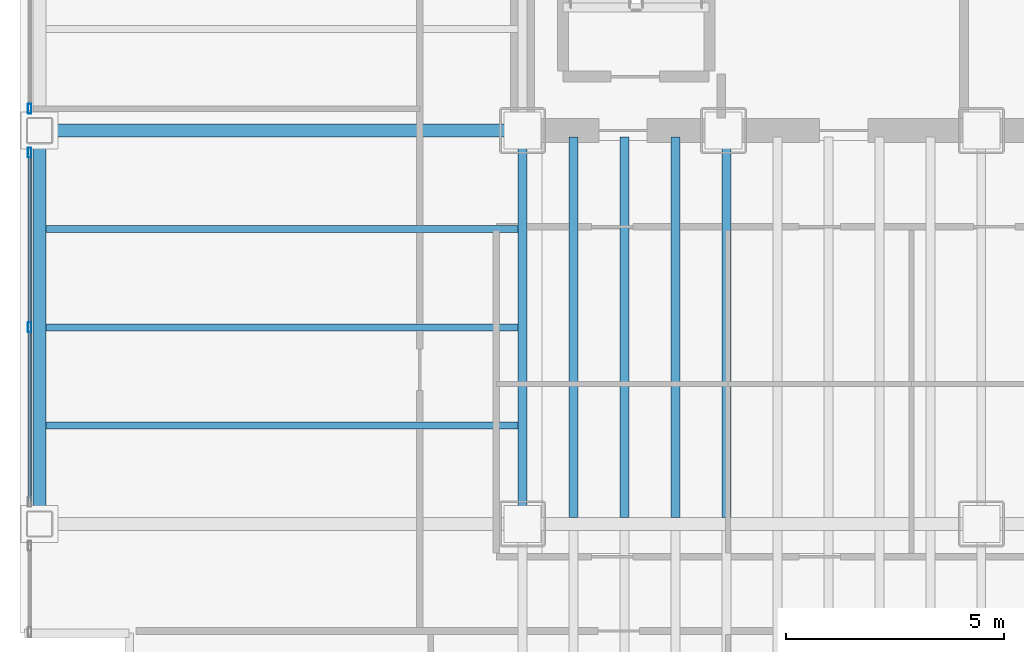
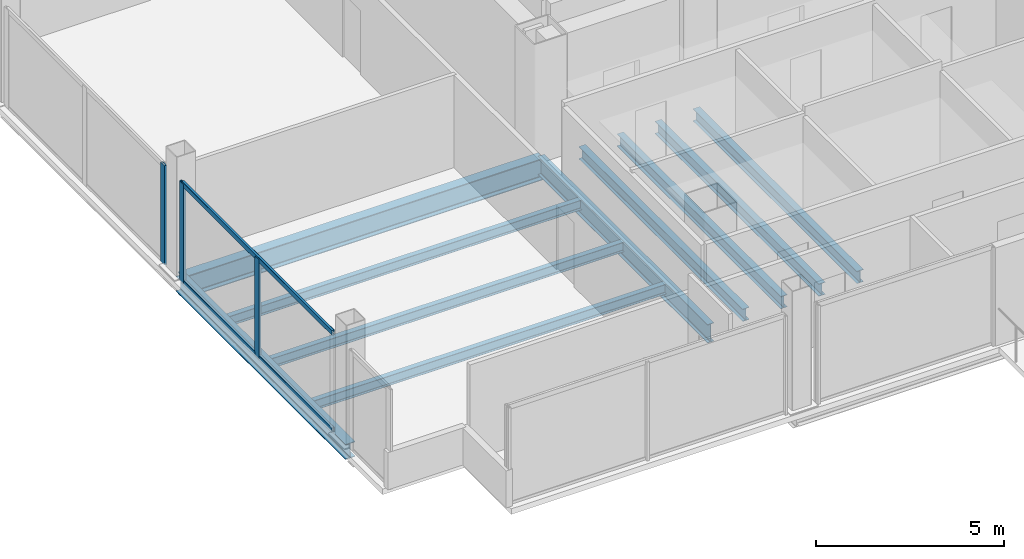
# One storey, part 3 of 21: 10 beams, 5 members, 2 elements without a shape of their own.
"""IFC4 building model written with IfcOpenShell, lengths in metres."""

from ifc_helpers import new_model, si_unit, direction, frame, origin, origin_2d, place, context, subcontext, project, spatial, hollow_rectangle, i_section, extrude, material, material_profile, profile_set, type_object, element, aggregate, save


model = new_model("IFC4")

# Units and contexts
model_context = context("Model", 3, precision=1e-05, world=origin(), true_north=direction((0.0, 1.0)))
body_context = subcontext(model_context, "Body", "Model", "MODEL_VIEW")
ifc_project = project(units=[si_unit("LENGTHUNIT", "METRE"), si_unit("AREAUNIT", "SQUARE_METRE"), si_unit("VOLUMEUNIT", "CUBIC_METRE"), si_unit("PLANEANGLEUNIT", "RADIAN"), si_unit("MASSUNIT", "GRAM", prefix="KILO")], contexts=[model_context])

# Site, building, storey
site_placement = place(None, origin())
site = spatial("IfcSite", under=ifc_project, at=site_placement, CompositionType="ELEMENT")
building_placement = place(site_placement, origin())
building = spatial("IfcBuilding", under=site, at=building_placement, Name="Noeulbin Bourse Tower", CompositionType="ELEMENT")
storey_placement = place(building_placement, frame((0.0, 0.0, 46.0)))
storey = spatial("IfcBuildingStorey", under=building, at=storey_placement, Name="L11", CompositionType="ELEMENT", Elevation=46.0)

# Beams
ifc_material_1 = material(Name="Steel S355", Category="steel")
ifc_material_profile_1 = material_profile(ifc_material_1, i_section(OverallWidth=0.199951171875, OverallDepth=0.60009765625, WebThickness=0.010986328125, FlangeThickness=0.01708984375, FilletRadius=0.02197265625, at=origin_2d()), Name="H-600x200x11x17", Category="LoadBearing")
ifc_profile_set_1 = profile_set([ifc_material_profile_1], Name="Steel S355")
beam_type_1 = type_object("IfcBeamType", Name="BM-GRD-600", PredefinedType="USERDEFINED", material=ifc_profile_set_1)
beam_1_placement = place(storey_placement, frame((13.5, 20.0, -0.47998046875), z_axis=(0.0, 1.0, 0.0), x_axis=(-1.0, 0.0, 0.0)))
element("IfcBeam", 1, at=beam_1_placement, inside=storey, type_object=beam_type_1, Name="Tower Primary Girder NS L11-1.2", ObjectType="GIRDER", PredefinedType="USERDEFINED", context=body_context, shape_type="SweptSolid", body=[
    extrude(i_section(OverallWidth=0.199951171875, OverallDepth=0.60009765625, WebThickness=0.010986328125, FlangeThickness=0.01708984375, FilletRadius=0.02197265625, at=origin_2d()), origin(), (0.0, 0.0, 1.0), 9.0),
])
ifc_material_profile_2 = material_profile(ifc_material_1, i_section(OverallWidth=0.300048828125, OverallDepth=0.699951171875, WebThickness=0.012939453125, FlangeThickness=0.02392578125, FilletRadius=0.02392578125, at=origin_2d()), Name="H-700x300x13x24", Category="LoadBearing")
ifc_profile_set_2 = profile_set([ifc_material_profile_2], Name="Steel S355")
beam_type_2 = type_object("IfcBeamType", Name="BM-GRD-700", PredefinedType="USERDEFINED", material=ifc_profile_set_2)
beam_2_placement = place(storey_placement, frame((2.449951171875, 29.0, -0.530029296875), z_axis=(1.0, 0.0, 0.0), x_axis=(0.0, 1.0, 0.0)))
element("IfcBeam", 2, at=beam_2_placement, inside=storey, type_object=beam_type_2, Name="Tower Primary Girder EW L11-2.1", ObjectType="GIRDER", PredefinedType="USERDEFINED", context=body_context, shape_type="SweptSolid", body=[
    extrude(i_section(OverallWidth=0.300048828125, OverallDepth=0.699951171875, WebThickness=0.012939453125, FlangeThickness=0.02392578125, FilletRadius=0.02392578125, at=origin_2d()), origin(), (0.0, 0.0, 1.0), 11.050048828125),
])
ifc_material_profile_3 = material_profile(ifc_material_1, i_section(OverallWidth=0.159912109375, OverallDepth=0.320068359375, WebThickness=0.006591796875, FlangeThickness=0.010009765625, FilletRadius=0.012939453125, at=origin_2d()), Name="H-320x160x6.5x10", Category="LoadBearing")
ifc_profile_set_3 = profile_set([ifc_material_profile_3], Name="Steel S355")
beam_type_3 = type_object("IfcBeamType", Name="BM-JST-320", PredefinedType="JOIST", material=ifc_profile_set_3)
for number, where, z_axis, x_axis, name in (
    (3, (2.60009765625, 22.25, -0.340087890625), (1.0, 0.0, 0.0), (0.0, 1.0, 0.0), "Wing Composite Joist L11-W70"),
    (4, (2.60009765625, 24.5, -0.340087890625), (1.0, 0.0, 0.0), (0.0, 1.0, 0.0), "Wing Composite Joist L11-W71"),
    (5, (2.60009765625, 26.75, -0.340087890625), (1.0, 0.0, 0.0), (0.0, 1.0, 0.0), "Wing Composite Joist L11-W72"),
):
    element("IfcBeam", number, at=place(storey_placement, frame(where, z_axis=z_axis, x_axis=x_axis)), inside=storey, type_object=beam_type_3, Name=name, PredefinedType="JOIST", context=body_context, shape_type="SweptSolid", body=[
        extrude(i_section(OverallWidth=0.159912109375, OverallDepth=0.320068359375, WebThickness=0.006591796875, FlangeThickness=0.010009765625, FilletRadius=0.012939453125, at=origin_2d()), origin(), (0.0, 0.0, 1.0), 10.7998046875),
    ])
ifc_material_profile_4 = material_profile(ifc_material_1, i_section(OverallWidth=0.199951171875, OverallDepth=0.39990234375, WebThickness=0.008056640625, FlangeThickness=0.012939453125, FilletRadius=0.01611328125, at=origin_2d()), Name="H-400x200x8x13", Category="LoadBearing")
ifc_profile_set_4 = profile_set([ifc_material_profile_4], Name="Steel S355")
beam_type_4 = type_object("IfcBeamType", Name="BM-SEC-400", PredefinedType="BEAM", material=ifc_profile_set_4)
for number, where, z_axis, x_axis, name in (
    (6, (14.666748046875, 20.14990234375, -0.3798828125), (0.0, 1.0, 0.0), (-1.0, 0.0, 0.0), "Tower Composite Joist L11-02"),
    (7, (15.833251953125, 20.14990234375, -0.3798828125), (0.0, 1.0, 0.0), (-1.0, 0.0, 0.0), "Tower Composite Joist L11-05"),
    (8, (17.0, 20.14990234375, -0.3798828125), (0.0, 1.0, 0.0), (-1.0, 0.0, 0.0), "Tower Composite Joist L11-08"),
    (9, (18.166748046875, 20.14990234375, -0.3798828125), (0.0, 1.0, 0.0), (-1.0, 0.0, 0.0), "Tower Composite Joist L11-11"),
):
    element("IfcBeam", number, at=place(storey_placement, frame(where, z_axis=z_axis, x_axis=x_axis)), inside=storey, type_object=beam_type_4, Name=name, PredefinedType="BEAM", context=body_context, shape_type="SweptSolid", body=[
        extrude(i_section(OverallWidth=0.199951171875, OverallDepth=0.39990234375, WebThickness=0.008056640625, FlangeThickness=0.012939453125, FilletRadius=0.01611328125, at=origin_2d()), origin(), (0.0, 0.0, 1.0), 8.7001953125),
    ])
ifc_material_profile_5 = material_profile(ifc_material_1, i_section(OverallWidth=0.300048828125, OverallDepth=0.488037109375, WebThickness=0.010986328125, FlangeThickness=0.01806640625, FilletRadius=0.02197265625, at=origin_2d()), Name="H-488x300x11x18", Category="LoadBearing")
ifc_profile_set_5 = profile_set([ifc_material_profile_5], Name="Steel S355")
beam_type_5 = type_object("IfcBeamType", Name="BM-SPN-488", PredefinedType="SPANDREL", material=ifc_profile_set_5)
beam_3_placement = place(storey_placement, frame((2.449951171875, 20.0, -0.424072265625), z_axis=(0.0, 1.0, 0.0), x_axis=(-1.0, 0.0, 0.0)))
element("IfcBeam", 10, at=beam_3_placement, inside=storey, type_object=beam_type_5, Name="West Spandrel L11-1", PredefinedType="SPANDREL", context=body_context, shape_type="SweptSolid", body=[
    extrude(i_section(OverallWidth=0.300048828125, OverallDepth=0.488037109375, WebThickness=0.010986328125, FlangeThickness=0.01806640625, FilletRadius=0.02197265625, at=origin_2d()), origin(), (0.0, 0.0, 1.0), 9.0),
])

# Curtain wall, members
ifc_material_2 = material(Name="Dark Solar-Control Double Glazing", Category="glass")
curtain_wall_type = type_object("IfcCurtainWallType", Name="CW-SYS-2", PredefinedType="NOTDEFINED", material=ifc_material_2)
curtain_wall_1_placement = place(storey_placement, origin())
curtain_wall_1 = element("IfcCurtainWall", 11, at=curtain_wall_1_placement, inside=storey, type_object=curtain_wall_type, Name="Unitised Curtain Wall CW-L11-W-S2", PredefinedType="NOTDEFINED")
ifc_material_3 = material(Name="Anodised Aluminium 6063-T6", Category="aluminium")
ifc_material_profile_6 = material_profile(ifc_material_3, hollow_rectangle(XDim=0.074951171875, YDim=0.219970703125, WallThickness=0.0048828125, InnerFilletRadius=0.00244140625, OuterFilletRadius=0.0048828125, at=origin_2d()), Name="ALU-MULL-75x220x5", Category="LoadBearing")
ifc_profile_set_6 = profile_set([ifc_material_profile_6], Name="Anodised Aluminium 6063-T6")
member_type_1 = type_object("IfcMemberType", Name="CW-SYS-2-MUL", PredefinedType="MULLION", material=ifc_profile_set_6)
member_1_placement = place(storey_placement, frame((2.219970703125, 24.5, -0.02001953125), z_axis=(0.0, 0.0, 1.0), x_axis=(1.0, 0.0, 0.0)))
member_1 = element("IfcMember", 12, at=member_1_placement, type_object=member_type_1, Name="Curtain Wall Mullion CW-L11-W-S2-M01", PredefinedType="MULLION", context=body_context, shape_type="SweptSolid", body=[
    extrude(hollow_rectangle(XDim=0.074951171875, YDim=0.219970703125, WallThickness=0.0048828125, InnerFilletRadius=0.00244140625, OuterFilletRadius=0.0048828125, at=origin_2d()), origin(), (0.0, 0.0, 1.0), 3.219970703125),
])
member_2_placement = place(storey_placement, frame((2.219970703125, 28.5, -0.02001953125), z_axis=(0.0, 0.0, 1.0), x_axis=(1.0, 0.0, 0.0)))
member_2 = element("IfcMember", 13, at=member_2_placement, type_object=member_type_1, Name="Curtain Wall Mullion CW-L11-W-S2-M02", PredefinedType="MULLION", context=body_context, shape_type="SweptSolid", body=[
    extrude(hollow_rectangle(XDim=0.074951171875, YDim=0.219970703125, WallThickness=0.0048828125, InnerFilletRadius=0.00244140625, OuterFilletRadius=0.0048828125, at=origin_2d()), origin(), (0.0, 0.0, 1.0), 3.219970703125),
])

# Curtain wall, member
curtain_wall_2_placement = place(storey_placement, origin())
curtain_wall_2 = element("IfcCurtainWall", 14, at=curtain_wall_2_placement, inside=storey, type_object=curtain_wall_type, Name="Unitised Curtain Wall CW-L11-W-S3", PredefinedType="NOTDEFINED")
member_3_placement = place(storey_placement, frame((2.219970703125, 29.5, -0.02001953125), z_axis=(0.0, 0.0, 1.0), x_axis=(1.0, 0.0, 0.0)))
member_3 = element("IfcMember", 15, at=member_3_placement, type_object=member_type_1, Name="Curtain Wall Mullion CW-L11-W-S3-M00", PredefinedType="MULLION", context=body_context, shape_type="SweptSolid", body=[
    extrude(hollow_rectangle(XDim=0.074951171875, YDim=0.219970703125, WallThickness=0.0048828125, InnerFilletRadius=0.00244140625, OuterFilletRadius=0.0048828125, at=origin_2d()), origin(), (0.0, 0.0, 1.0), 3.219970703125),
])
aggregate(curtain_wall_2, [member_3])

# Member
ifc_material_profile_7 = material_profile(ifc_material_3, hollow_rectangle(XDim=0.074951171875, YDim=0.159912109375, WallThickness=0.0048828125, InnerFilletRadius=0.00244140625, OuterFilletRadius=0.0048828125, at=origin_2d()), Name="ALU-TRAN-75x160x5", Category="LoadBearing")
ifc_profile_set_7 = profile_set([ifc_material_profile_7], Name="Anodised Aluminium 6063-T6")
member_type_2 = type_object("IfcMemberType", Name="CW-SYS-2-TRN", PredefinedType="USERDEFINED", material=ifc_profile_set_7)
member_4_placement = place(storey_placement, frame((2.219970703125, 20.510009765625, 0.010009765625), z_axis=(0.0, 1.0, 0.0), x_axis=(-1.0, 0.0, 0.0)))
member_4 = element("IfcMember", 16, at=member_4_placement, type_object=member_type_2, Name="Curtain Wall Transom CW-L11-W-S2-T00", ObjectType="TRANSOM", PredefinedType="USERDEFINED", context=body_context, shape_type="SweptSolid", body=[
    extrude(hollow_rectangle(XDim=0.074951171875, YDim=0.159912109375, WallThickness=0.0048828125, InnerFilletRadius=0.00244140625, OuterFilletRadius=0.0048828125, at=origin_2d()), origin(), (0.0, 0.0, 1.0), 7.97998046875),
])

member_5_placement = place(storey_placement, frame((2.219970703125, 20.510009765625, 3.169921875), z_axis=(0.0, 1.0, 0.0), x_axis=(-1.0, 0.0, 0.0)))
member_5 = element("IfcMember", 17, at=member_5_placement, type_object=member_type_2, Name="Curtain Wall Transom CW-L11-W-S2-T01", ObjectType="TRANSOM", PredefinedType="USERDEFINED", context=body_context, shape_type="SweptSolid", body=[
    extrude(hollow_rectangle(XDim=0.074951171875, YDim=0.159912109375, WallThickness=0.0048828125, InnerFilletRadius=0.00244140625, OuterFilletRadius=0.0048828125, at=origin_2d()), origin(), (0.0, 0.0, 1.0), 7.97998046875),
])

aggregate(curtain_wall_1, [member_1, member_2, member_4, member_5])

save(model, "model.ifc")
